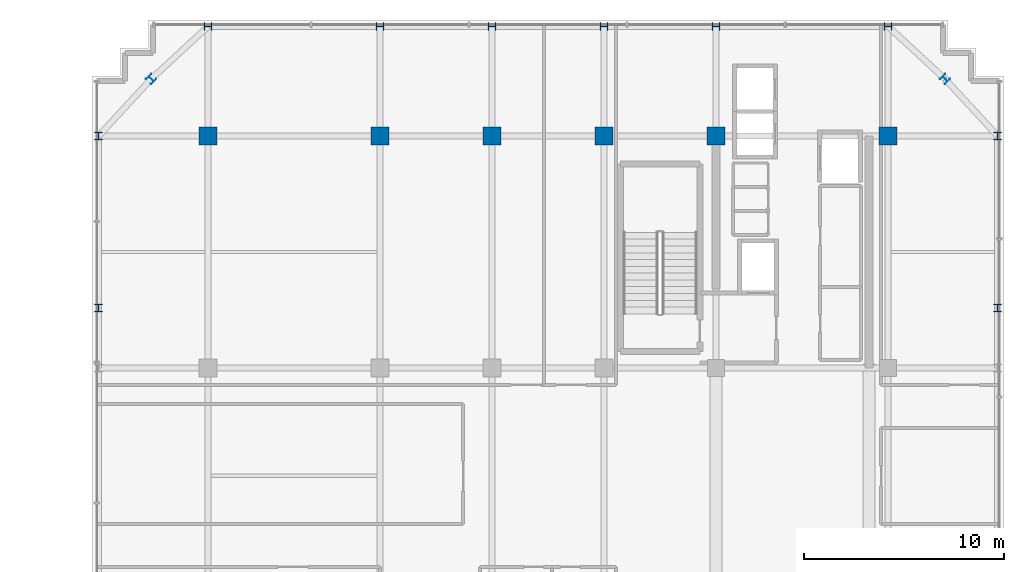
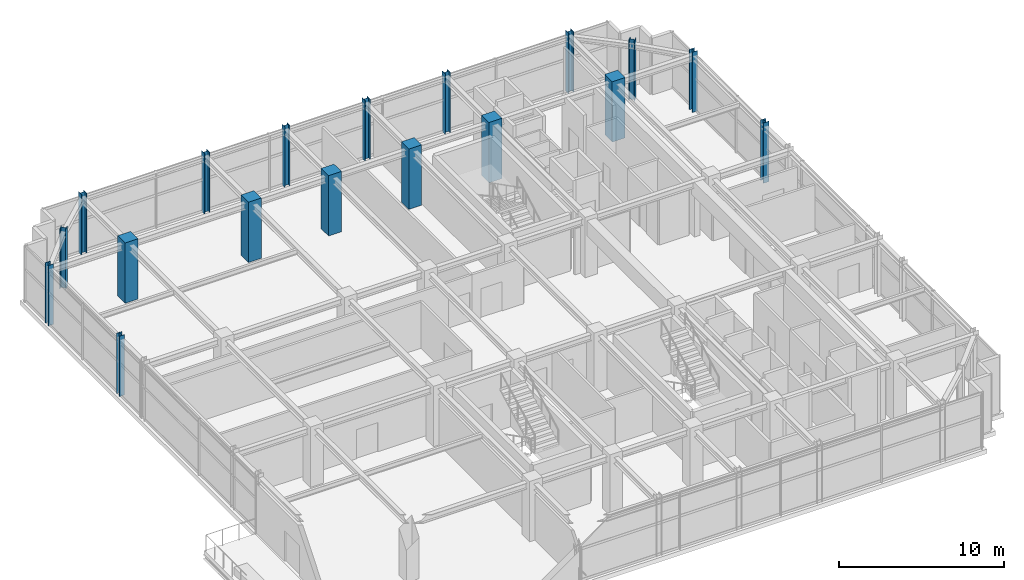
# One storey, part 3 of 25: 18 columns.
"""IFC4 building model written with IfcOpenShell, lengths in metres."""

from ifc_helpers import new_model, si_unit, direction, frame, origin, origin_2d, place, context, subcontext, project, spatial, rectangle, i_section, extrude, source, transform, mapped, material, material_profile, profile_set, type_object, element, save


model = new_model("IFC4")

# Units and contexts
model_context = context("Model", 3, precision=1e-05, world=origin(), true_north=direction((0.0, 1.0)))
body_context = subcontext(model_context, "Body", "Model", "MODEL_VIEW")
ifc_project = project(units=[si_unit("LENGTHUNIT", "METRE"), si_unit("AREAUNIT", "SQUARE_METRE"), si_unit("VOLUMEUNIT", "CUBIC_METRE"), si_unit("PLANEANGLEUNIT", "RADIAN"), si_unit("MASSUNIT", "GRAM", prefix="KILO")], contexts=[model_context])

# Site, building, storey
site_placement = place(None, origin())
site = spatial("IfcSite", under=ifc_project, at=site_placement, CompositionType="ELEMENT")
building_placement = place(site_placement, origin())
building = spatial("IfcBuilding", under=site, at=building_placement, Name="Nahalor Promenade Grand Hotel", CompositionType="ELEMENT")
storey_placement = place(building_placement, frame((0.0, 0.0, 338.550048828125)))
storey = spatial("IfcBuildingStorey", under=building, at=storey_placement, Name="L87", CompositionType="ELEMENT", Elevation=338.550048828125)

# Columns
ifc_material_1 = material(Name="Concrete B-50 (C40/50)", Category="concrete")
ifc_material_profile_1 = material_profile(ifc_material_1, rectangle(XDim=0.9, YDim=0.9, at=origin_2d()), Name="RC 900x900")
ifc_profile_set_1 = profile_set([ifc_material_profile_1], Name="Concrete B-50 (C40/50)")
column_type_1 = type_object("IfcColumnType", Name="Col-RC-900", PredefinedType="COLUMN", material=ifc_profile_set_1)
shared_shape_1 = source(origin(), body_context, "Body", "SweptSolid", [
    extrude(rectangle(XDim=0.9, YDim=0.9, at=origin_2d()), origin(), (0.0, 0.0, 1.0), 4.454833984375),
])
for number, where, z_axis, x_axis, name in (
    (1, (-17.0, 17.0, 0.0), (0.0, 0.0, 1.0), (1.0, 0.0, 0.0), "COL-L87-I03"),
    (2, (-8.39990234375, 17.0, 0.0), (0.0, 0.0, 1.0), (1.0, 0.0, 0.0), "COL-L87-I13"),
    (3, (-2.800048828125, 17.0, 0.0), (0.0, 0.0, 1.0), (1.0, 0.0, 0.0), "COL-L87-I23"),
    (4, (2.800048828125, 17.0, 0.0), (0.0, 0.0, 1.0), (1.0, 0.0, 0.0), "COL-L87-I33"),
    (5, (8.39990234375, 17.0, 0.0), (0.0, 0.0, 1.0), (1.0, 0.0, 0.0), "COL-L87-I43"),
    (6, (17.0, 17.0, 0.0), (0.0, 0.0, 1.0), (1.0, 0.0, 0.0), "COL-L87-I53"),
):
    element("IfcColumn", number, at=place(storey_placement, frame(where, z_axis=z_axis, x_axis=x_axis)), inside=storey, type_object=column_type_1, Name=name, PredefinedType="COLUMN", context=body_context, shape_type="MappedRepresentation", body=[
        mapped(shared_shape_1, transform((0.0, 0.0, 0.0), scale=1.0)),
    ])
ifc_material_2 = material(Name="Steel S355JR", Category="steel")
ifc_material_profile_2 = material_profile(ifc_material_2, i_section(OverallWidth=0.374, OverallDepth=0.374, WebThickness=0.0144, FlangeThickness=0.0229, at=origin_2d()), Name="HD 360x262")
ifc_profile_set_2 = profile_set([ifc_material_profile_2], Name="Steel S355JR")
column_type_2 = type_object("IfcColumnType", Name="Col-Steel-HD262", PredefinedType="COLUMN", material=ifc_profile_set_2)
shared_shape_2 = source(origin(), body_context, "Body", "SweptSolid", [
    extrude(i_section(OverallWidth=0.374, OverallDepth=0.374, WebThickness=0.0144, FlangeThickness=0.0229, at=origin_2d()), origin(), (0.0, 0.0, 1.0), 4.454833984375),
])
for number, where, z_axis, x_axis, name in (
    (7, (-22.47998046875, 8.39990234375, 0.0), (0.0, 0.0, 1.0), (1.0, 0.0, 0.0), "COL-L87-PW-W4"),
    (8, (22.47998046875, 8.39990234375, 0.0), (0.0, 0.0, 1.0), (1.0, 0.0, 0.0), "COL-L87-PW-E4"),
    (9, (-22.47998046875, 17.0, 0.0), (0.0, 0.0, 1.0), (1.0, 0.0, 0.0), "COL-L87-PW-W5"),
    (10, (22.47998046875, 17.0, 0.0), (0.0, 0.0, 1.0), (1.0, 0.0, 0.0), "COL-L87-PW-E5"),
    (11, (-17.0, 22.47998046875, 0.0), (0.0, 0.0, 1.0), (0.0, 1.0, 0.0), "COL-L87-PN-N0"),
    (12, (-8.39990234375, 22.47998046875, 0.0), (0.0, 0.0, 1.0), (0.0, 1.0, 0.0), "COL-L87-PN-N1"),
    (13, (-2.800048828125, 22.47998046875, 0.0), (0.0, 0.0, 1.0), (0.0, 1.0, 0.0), "COL-L87-PN-N2"),
    (14, (2.800048828125, 22.47998046875, 0.0), (0.0, 0.0, 1.0), (0.0, 1.0, 0.0), "COL-L87-PN-N3"),
    (15, (8.39990234375, 22.47998046875, 0.0), (0.0, 0.0, 1.0), (0.0, 1.0, 0.0), "COL-L87-PN-N4"),
    (16, (17.0, 22.47998046875, 0.0), (0.0, 0.0, 1.0), (0.0, 1.0, 0.0), "COL-L87-PN-N5"),
    (17, (-19.85009765625, 19.85009765625, 0.0), (0.0, 0.0, 1.0), (0.707106781187, 0.707106781187, 0.0), "COL-L87-CRN-NW"),
    (18, (19.85009765625, 19.85009765625, 0.0), (0.0, 0.0, 1.0), (0.707106781187, 0.707106781187, 0.0), "COL-L87-CRN-NE"),
):
    element("IfcColumn", number, at=place(storey_placement, frame(where, z_axis=z_axis, x_axis=x_axis)), inside=storey, type_object=column_type_2, Name=name, PredefinedType="COLUMN", context=body_context, shape_type="MappedRepresentation", body=[
        mapped(shared_shape_2, transform((0.0, 0.0, 0.0), scale=1.0)),
    ])

save(model, "model.ifc")
